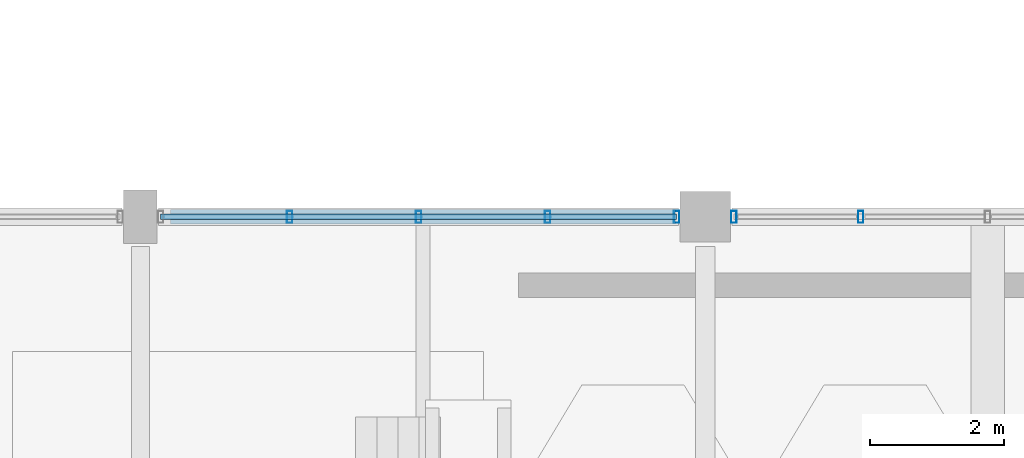
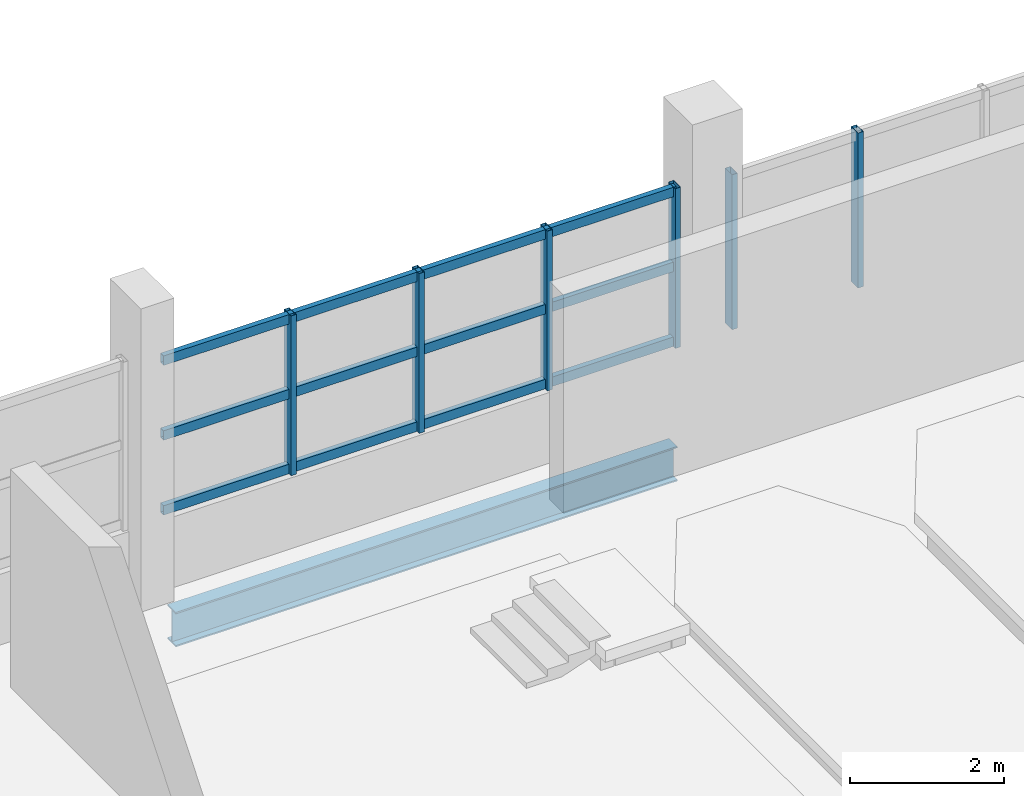
# One storey, part 58 of 117: 9 members, 1 beam, 2 elements without a shape of their own.
"""IFC4 building model written with IfcOpenShell, lengths in metres."""

import ifcopenshell
import ifcopenshell.guid

model = None  # the IFC model being written
_history = None  # IfcOwnerHistory: only IFC2X3 demands one
_inside = {}  # id of a spatial element -> (the spatial element, [elements in it])
_under = {}  # id of a project, library or spatial element -> (it, [spatial elements below it])
_declared = {}  # id of a project -> (the project, [libraries it declares])
_typed = {}  # id of a type object -> (the type object, [elements of that type])
_made_of = {}  # id of a material, layer set ... -> (it, [elements and type objects made of it])


def new_model(schema):
    """Start an empty IFC model of exactly this schema.

    Asked for "IFC4X3", IfcOpenShell would pick the latest addendum, in which some entities
    have other attributes; the version numbers below select the first issue.
    IFC2X3 requires an IfcOwnerHistory on every rooted entity: one is made here for all.
    """
    global model, _history
    if schema == "IFC4X3":
        model = ifcopenshell.file(schema_version=(4, 3, 0, 0))
    else:
        model = ifcopenshell.file(schema=schema)
    _inside.clear()
    _under.clear()
    _declared.clear()
    _typed.clear()
    _made_of.clear()
    _history = None
    if model.schema == "IFC2X3":
        org = make("IfcOrganization", Name="unknown")
        user = make(
            "IfcPersonAndOrganization",
            ThePerson=make("IfcPerson", FamilyName="unknown"),
            TheOrganization=org,
        )
        app = make(
            "IfcApplication",
            ApplicationDeveloper=org,
            Version="unknown",
            ApplicationFullName="unknown",
            ApplicationIdentifier="unknown",
        )
        _history = make(
            "IfcOwnerHistory",
            OwningUser=user,
            OwningApplication=app,
            ChangeAction="ADDED",
            CreationDate=0,
        )
    return model


def make(cls, **values):
    """One entity of the class cls with the attributes given. An attribute that is None is left unset."""
    return model.create_entity(
        cls, **{name: value for name, value in values.items() if value is not None}
    )


def rooted(cls, **values):
    """An entity with a GlobalId (a new one), such as an element, a storey or a relation."""
    return make(cls, GlobalId=ifcopenshell.guid.new(), OwnerHistory=_history, **values)


def si_unit(unit_type, name, prefix=None):
    """IfcSIUnit, for example si_unit("LENGTHUNIT", "METRE", prefix="MILLI")."""
    return make("IfcSIUnit", UnitType=unit_type, Prefix=prefix, Name=name)


def assignment(units):
    """IfcUnitAssignment: the units of a project."""
    return None if units is None else make("IfcUnitAssignment", Units=units)


def point(xyz):
    """IfcCartesianPoint."""
    return None if xyz is None else make("IfcCartesianPoint", Coordinates=xyz)


def direction(xyz):
    """IfcDirection."""
    return None if xyz is None else make("IfcDirection", DirectionRatios=xyz)


def frame(location, z_axis=None, x_axis=None):
    """IfcAxis2Placement3D, a coordinate frame: its origin and axes. An axis left out is left unset."""
    return make(
        "IfcAxis2Placement3D",
        Location=point(location),
        Axis=direction(z_axis),
        RefDirection=direction(x_axis),
    )


def frame_2d(location, x_axis=None):
    """IfcAxis2Placement2D, a coordinate frame in the plane: its origin and x axis."""
    return make(
        "IfcAxis2Placement2D", Location=point(location), RefDirection=direction(x_axis)
    )


def origin():
    """The frame at (0, 0, 0) with its axes left unset."""
    return frame((0.0, 0.0, 0.0))


def origin_2d():
    """The frame at (0, 0) in the plane with its x axis left unset."""
    return frame_2d((0.0, 0.0))


def place(relative_to, where):
    """IfcLocalPlacement: puts the frame where relative to a parent placement (None: the world)."""
    return make(
        "IfcLocalPlacement", PlacementRelTo=relative_to, RelativePlacement=where
    )


def context(
    kind, dimensions, precision=None, world=None, true_north=None, identifier=None
):
    """IfcGeometricRepresentationContext, for example the 3D "Model" context."""
    return make(
        "IfcGeometricRepresentationContext",
        ContextIdentifier=identifier,
        ContextType=kind,
        CoordinateSpaceDimension=dimensions,
        Precision=precision,
        WorldCoordinateSystem=world,
        TrueNorth=true_north,
    )


def subcontext(parent, identifier, kind, view, scale=None):
    """IfcGeometricRepresentationSubContext, for example "Body" below "Model"."""
    return make(
        "IfcGeometricRepresentationSubContext",
        ContextIdentifier=identifier,
        ContextType=kind,
        ParentContext=parent,
        TargetScale=scale,
        TargetView=view,
    )


def project(units=None, contexts=None):
    """IfcProject with its units and contexts."""
    return rooted(
        "IfcProject",
        Name="project",
        RepresentationContexts=contexts,
        UnitsInContext=assignment(units),
    )


def spatial(cls, under=None, at=None, **own):
    """A site, building, storey or space (cls), placed at a placement, below another one or the project."""
    s = rooted(cls, ObjectPlacement=at, **own)
    if under is not None:
        _under.setdefault(under.id(), (under, []))[1].append(s)
    return s


def profile(cls, at=None, kind="AREA", **sizes):
    """A parametric profile (cls). Its sizes go by their IFC names, for example OverallWidth=200.0."""
    return make(cls, ProfileType=kind, Position=at, **sizes)


def hollow_rectangle(**sizes):
    """IfcRectangleHollowProfileDef."""
    return profile("IfcRectangleHollowProfileDef", **sizes)


def i_section(**sizes):
    """IfcIShapeProfileDef."""
    return profile("IfcIShapeProfileDef", **sizes)


def extrude(swept, where, along, depth):
    """IfcExtrudedAreaSolid: the profile swept, set in the frame where, extruded along a direction by depth."""
    return make(
        "IfcExtrudedAreaSolid",
        SweptArea=swept,
        Position=where,
        ExtrudedDirection=direction(along),
        Depth=depth,
    )


def shape(context_of_items, identifier, shape_type, items):
    """IfcShapeRepresentation: the items that make up one representation, for example the "Body"."""
    return make(
        "IfcShapeRepresentation",
        ContextOfItems=context_of_items,
        RepresentationIdentifier=identifier,
        RepresentationType=shape_type,
        Items=items,
    )


def material(Name=None, Category=None):
    """IfcMaterial."""
    return make("IfcMaterial", Name=Name, Category=Category)


def material_profile(
    of_material, cross_section, Name=None, Category=None, Priority=None
):
    """IfcMaterialProfile: a cross section and its material."""
    return make(
        "IfcMaterialProfile",
        Name=Name,
        Material=of_material,
        Profile=cross_section,
        Priority=Priority,
        Category=Category,
    )


def profile_set(profiles, Name=None, composite=None):
    """IfcMaterialProfileSet."""
    return make(
        "IfcMaterialProfileSet",
        Name=Name,
        MaterialProfiles=profiles,
        CompositeProfile=composite,
    )


def made_of(thing, what):
    """Note that an element or type object is made of a material, layer set ...; save() writes the relation."""
    if what is not None:
        _made_of.setdefault(what.id(), (what, []))[1].append(thing)
    return thing


def type_object(cls, material=None, **own):
    """A type object (cls), such as IfcWallType, which elements share."""
    return made_of(rooted(cls, **own), material)


def element(
    cls,
    number,
    at=None,
    inside=None,
    cuts=None,
    type_object=None,
    material=None,
    context=None,
    identifier="Body",
    shape_type=None,
    held_by="IfcProductDefinitionShape",
    body=None,
    shapes=None,
    **own,
):
    """One element of the class cls, such as IfcWall. Its Tag is "e" and its number.

    at: its placement. inside: the storey or other place that contains it. cuts: it is an
    opening in that element (IfcRelVoidsElement). A single representation is given by context,
    identifier, shape_type and body (its items); several are given by shapes. held_by: the class
    of the entity that holds the representations. save() writes the other relations.
    """
    e = rooted(cls, Tag="e%d" % number, ObjectPlacement=at, **own)
    if body is not None:
        shapes = [shape(context, identifier, shape_type, body)]
    if shapes is not None:
        e.Representation = make(held_by, Representations=shapes)
    if inside is not None:
        _inside.setdefault(inside.id(), (inside, []))[1].append(e)
    if cuts is not None:
        rooted(
            "IfcRelVoidsElement", RelatingBuildingElement=cuts, RelatedOpeningElement=e
        )
    if type_object is not None:
        _typed.setdefault(type_object.id(), (type_object, []))[1].append(e)
    return made_of(e, material)


def aggregate(whole, parts):
    """IfcRelAggregates: a whole, such as a stair, and the parts it consists of."""
    return rooted("IfcRelAggregates", RelatingObject=whole, RelatedObjects=parts)


def save(model, path):
    """Write the relations noted so far, then the file.

    IfcRelAggregates (storeys below a building ...), IfcRelContainedInSpatialStructure (elements
    in a storey), IfcRelDefinesByType, IfcRelAssociatesMaterial and IfcRelDeclares: one each for
    every whole, place, type object, material and project.
    """
    for whole, parts in _under.values():
        aggregate(whole, parts)
    for where, things in _inside.values():
        rooted(
            "IfcRelContainedInSpatialStructure",
            RelatedElements=things,
            RelatingStructure=where,
        )
    for kind, things in _typed.values():
        rooted("IfcRelDefinesByType", RelatedObjects=things, RelatingType=kind)
    for what, things in _made_of.values():
        rooted("IfcRelAssociatesMaterial", RelatedObjects=things, RelatingMaterial=what)
    for by, libraries in _declared.values():
        rooted("IfcRelDeclares", RelatingContext=by, RelatedDefinitions=libraries)
    model.write(path)


model = new_model("IFC4")

# Units and contexts
model_context = context("Model", 3, precision=1e-05, world=origin(), true_north=direction((0.0, 1.0)))
body_context = subcontext(model_context, "Body", "Model", "MODEL_VIEW")
ifc_project = project(units=[si_unit("LENGTHUNIT", "METRE"), si_unit("AREAUNIT", "SQUARE_METRE"), si_unit("VOLUMEUNIT", "CUBIC_METRE"), si_unit("PLANEANGLEUNIT", "RADIAN"), si_unit("MASSUNIT", "GRAM", prefix="KILO")], contexts=[model_context])

# Site, building, storey
site_placement = place(None, origin())
site = spatial("IfcSite", under=ifc_project, at=site_placement, CompositionType="ELEMENT")
building_placement = place(site_placement, origin())
building = spatial("IfcBuilding", under=site, at=building_placement, Name="Solvento Point Concert Hall", CompositionType="ELEMENT")
storey_placement = place(building_placement, frame((0.0, 0.0, 5.39990234375)))
storey = spatial("IfcBuildingStorey", under=building, at=storey_placement, Name="L01", CompositionType="ELEMENT", Elevation=5.39990234375)

# Beam
ifc_material_1 = material(Name="Structural Steel ASTM A992 Grade 50", Category="steel")
ifc_material_profile_1 = material_profile(ifc_material_1, i_section(OverallWidth=0.214111328125, OverallDepth=0.549072265625, WebThickness=0.0146484375, FlangeThickness=0.023681640625, at=origin_2d()), Name="W21X93")
ifc_profile_set_1 = profile_set([ifc_material_profile_1], Name="Structural Steel ASTM A992 Grade 50")
beam_type = type_object("IfcBeamType", Name="Beam_W21X93", PredefinedType="BEAM", material=ifc_profile_set_1)
beam_placement = place(storey_placement, frame((158.843994140625, 25.5, -0.698486328125), z_axis=(1.0, 0.0, 0.0), x_axis=(0.0, 1.0, 0.0)))
element("IfcBeam", 1, at=beam_placement, inside=storey, type_object=beam_type, Name="Primary girder B-48 L01", PredefinedType="BEAM", context=body_context, shape_type="SweptSolid", body=[
    extrude(i_section(OverallWidth=0.214111328125, OverallDepth=0.549072265625, WebThickness=0.0146484375, FlangeThickness=0.023681640625, at=origin_2d()), origin(), (0.0, 0.0, 1.0), 7.511962890625),
])

# Curtain wall, members
ifc_material_2 = material(Name="Anodized Bronze Aluminium", Category="aluminium")
curtain_wall_type = type_object("IfcCurtainWallType", Name="CurtainWall_ChamberCircle", PredefinedType="USERDEFINED", material=ifc_material_2)
curtain_wall_1_placement = place(storey_placement, origin())
curtain_wall_1 = element("IfcCurtainWall", 2, at=curtain_wall_1_placement, inside=storey, type_object=curtain_wall_type, Name="Unitised curtain wall CW-32 UCW-L01-077", ObjectType="UNITISED CURTAIN WALL", PredefinedType="USERDEFINED")
ifc_material_3 = material(Name="Anodized Bronze Aluminium", Category="aluminium")
ifc_material_profile_2 = material_profile(ifc_material_3, hollow_rectangle(XDim=0.080078125, YDim=0.179931640625, WallThickness=0.00390625, at=origin_2d()), Name="CW-MUL-80X180")
ifc_profile_set_2 = profile_set([ifc_material_profile_2], Name="Anodized Bronze Aluminium")
member_type_1 = type_object("IfcMemberType", Name="Mullion_80x180", PredefinedType="MULLION", material=ifc_profile_set_2)
member_1_placement = place(storey_placement, frame((160.61865234375, 25.5, 1.1201171875), z_axis=(0.0, 0.0, 1.0), x_axis=(1.0, 0.0, 0.0)))
member_1 = element("IfcMember", 3, at=member_1_placement, type_object=member_type_1, Name="Curtain wall mullion ML-01", PredefinedType="MULLION", context=body_context, shape_type="SweptSolid", body=[
    extrude(hollow_rectangle(XDim=0.080078125, YDim=0.179931640625, WallThickness=0.00390625, at=origin_2d()), origin(), (0.0, 0.0, 1.0), 2.531005859375),
])
member_2_placement = place(storey_placement, frame((162.53759765625, 25.5, 1.1201171875), z_axis=(0.0, 0.0, 1.0), x_axis=(1.0, 0.0, 0.0)))
member_2 = element("IfcMember", 4, at=member_2_placement, type_object=member_type_1, Name="Curtain wall mullion ML-01", PredefinedType="MULLION", context=body_context, shape_type="SweptSolid", body=[
    extrude(hollow_rectangle(XDim=0.080078125, YDim=0.179931640625, WallThickness=0.00390625, at=origin_2d()), origin(), (0.0, 0.0, 1.0), 2.531005859375),
])
member_3_placement = place(storey_placement, frame((164.456298828125, 25.5, 1.1201171875), z_axis=(0.0, 0.0, 1.0), x_axis=(1.0, 0.0, 0.0)))
member_3 = element("IfcMember", 5, at=member_3_placement, type_object=member_type_1, Name="Curtain wall mullion ML-01", PredefinedType="MULLION", context=body_context, shape_type="SweptSolid", body=[
    extrude(hollow_rectangle(XDim=0.080078125, YDim=0.179931640625, WallThickness=0.00390625, at=origin_2d()), origin(), (0.0, 0.0, 1.0), 2.531005859375),
])
member_4_placement = place(storey_placement, frame((166.375, 25.5, 1.1201171875), z_axis=(0.0, 0.0, 1.0), x_axis=(1.0, 0.0, 0.0)))
member_4 = element("IfcMember", 6, at=member_4_placement, type_object=member_type_1, Name="Curtain wall mullion ML-01", PredefinedType="MULLION", context=body_context, shape_type="SweptSolid", body=[
    extrude(hollow_rectangle(XDim=0.080078125, YDim=0.179931640625, WallThickness=0.00390625, at=origin_2d()), origin(), (0.0, 0.0, 1.0), 2.531005859375),
])

curtain_wall_2_placement = place(storey_placement, origin())
curtain_wall_2 = element("IfcCurtainWall", 7, at=curtain_wall_2_placement, inside=storey, type_object=curtain_wall_type, Name="Unitised curtain wall CW-32 UCW-L01-078", ObjectType="UNITISED CURTAIN WALL", PredefinedType="USERDEFINED")
member_5_placement = place(storey_placement, frame((167.22509765625, 25.5, 1.1201171875), z_axis=(0.0, 0.0, 1.0), x_axis=(1.0, 0.0, 0.0)))
member_5 = element("IfcMember", 8, at=member_5_placement, type_object=member_type_1, Name="Curtain wall mullion ML-01", PredefinedType="MULLION", context=body_context, shape_type="SweptSolid", body=[
    extrude(hollow_rectangle(XDim=0.080078125, YDim=0.179931640625, WallThickness=0.00390625, at=origin_2d()), origin(), (0.0, 0.0, 1.0), 2.4541015625),
])
member_6_placement = place(storey_placement, frame((169.112548828125, 25.5, 1.1201171875), z_axis=(0.0, 0.0, 1.0), x_axis=(1.0, 0.0, 0.0)))
member_6 = element("IfcMember", 9, at=member_6_placement, type_object=member_type_1, Name="Curtain wall mullion ML-01", PredefinedType="MULLION", context=body_context, shape_type="SweptSolid", body=[
    extrude(hollow_rectangle(XDim=0.080078125, YDim=0.179931640625, WallThickness=0.00390625, at=origin_2d()), origin(), (0.0, 0.0, 1.0), 2.4541015625),
])
aggregate(curtain_wall_2, [member_5, member_6])

# Member
ifc_material_4 = material(Name="Anodized Bronze Aluminium", Category="aluminium")
ifc_material_profile_3 = material_profile(ifc_material_4, hollow_rectangle(XDim=0.080078125, YDim=0.14990234375, WallThickness=0.00390625, at=origin_2d()), Name="CW-TRN-80X150")
ifc_profile_set_3 = profile_set([ifc_material_profile_3], Name="Anodized Bronze Aluminium")
member_type_2 = type_object("IfcMemberType", Name="Transom_80x150", PredefinedType="USERDEFINED", material=ifc_profile_set_3)
member_7_placement = place(storey_placement, frame((158.699951171875, 25.5, 1.2001953125), z_axis=(1.0, 0.0, 0.0), x_axis=(0.0, 1.0, 0.0)))
member_7 = element("IfcMember", 10, at=member_7_placement, type_object=member_type_2, Name="Curtain wall transom TR-01", ObjectType="TRANSOM", PredefinedType="USERDEFINED", context=body_context, shape_type="SweptSolid", body=[
    extrude(hollow_rectangle(XDim=0.080078125, YDim=0.14990234375, WallThickness=0.00390625, at=origin_2d()), origin(), (0.0, 0.0, 1.0), 7.675048828125),
])

member_8_placement = place(storey_placement, frame((158.699951171875, 25.5, 2.385498046875), z_axis=(1.0, 0.0, 0.0), x_axis=(0.0, 1.0, 0.0)))
member_8 = element("IfcMember", 11, at=member_8_placement, type_object=member_type_2, Name="Curtain wall transom TR-01", ObjectType="TRANSOM", PredefinedType="USERDEFINED", context=body_context, shape_type="SweptSolid", body=[
    extrude(hollow_rectangle(XDim=0.080078125, YDim=0.14990234375, WallThickness=0.00390625, at=origin_2d()), origin(), (0.0, 0.0, 1.0), 7.675048828125),
])

member_9_placement = place(storey_placement, frame((158.699951171875, 25.5, 3.571044921875), z_axis=(1.0, 0.0, 0.0), x_axis=(0.0, 1.0, 0.0)))
member_9 = element("IfcMember", 12, at=member_9_placement, type_object=member_type_2, Name="Curtain wall transom TR-01", ObjectType="TRANSOM", PredefinedType="USERDEFINED", context=body_context, shape_type="SweptSolid", body=[
    extrude(hollow_rectangle(XDim=0.080078125, YDim=0.14990234375, WallThickness=0.00390625, at=origin_2d()), origin(), (0.0, 0.0, 1.0), 7.675048828125),
])

aggregate(curtain_wall_1, [member_1, member_2, member_3, member_4, member_7, member_8, member_9])

save(model, "model.ifc")
